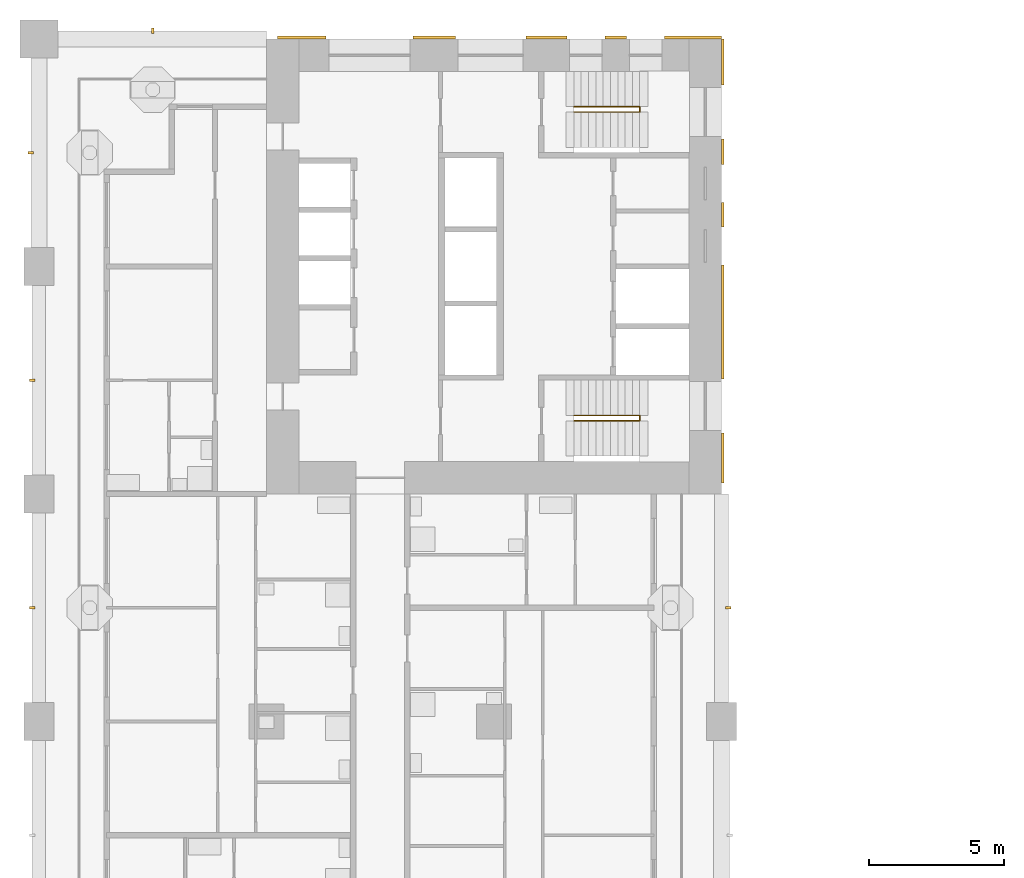
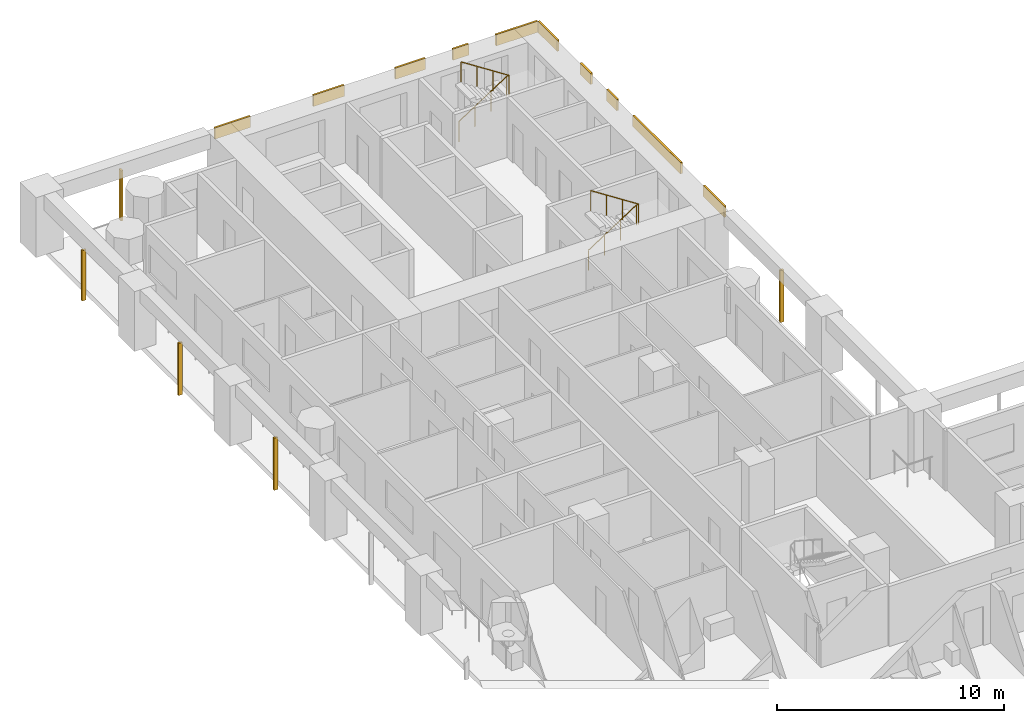
# One storey, part 16 of 21: 15 shading devices, 2 railings.
"""IFC4 building model written with IfcOpenShell, lengths in metres."""

from ifc_helpers import new_model, si_unit, direction, frame, origin, origin_2d, place, context, subcontext, project, spatial, rectangle, circle, extrude, material, layer, layer_set, material_profile, profile_set, type_object, element, save


model = new_model("IFC4")

# Units and contexts
model_context = context("Model", 3, precision=1e-05, world=origin(), true_north=direction((0.0, 1.0)))
body_context = subcontext(model_context, "Body", "Model", "MODEL_VIEW")
ifc_project = project(units=[si_unit("LENGTHUNIT", "METRE"), si_unit("AREAUNIT", "SQUARE_METRE"), si_unit("VOLUMEUNIT", "CUBIC_METRE"), si_unit("PLANEANGLEUNIT", "RADIAN"), si_unit("MASSUNIT", "GRAM", prefix="KILO")], contexts=[model_context])

# Site, building, storey
site_placement = place(None, origin())
site = spatial("IfcSite", under=ifc_project, at=site_placement, CompositionType="ELEMENT")
building_placement = place(site_placement, origin())
building = spatial("IfcBuilding", under=site, at=building_placement, Name="Vermilion Gate Residences", CompositionType="ELEMENT")
storey_placement = place(building_placement, frame((0.0, 0.0, 67.199951171875)))
storey = spatial("IfcBuildingStorey", under=building, at=storey_placement, Name="L16", CompositionType="ELEMENT", Elevation=67.199951171875)

# Railings
ifc_material_1 = material(Name="Steel S355", Category="steel")
railing_type = type_object("IfcRailingType", Name="STAIR GUARD 1100 STEEL", PredefinedType="GUARDRAIL", material=ifc_material_1)
for number, where, name in (
    (1, (19.75, 56.300048828125, 0.175048828125), "Stair well guard STB1-16"),
    (2, (19.75, 44.89990234375, 0.175048828125), "Stair well guard STB2-16"),
):
    element("IfcRailing", number, at=place(storey_placement, frame(where)), inside=storey, type_object=railing_type, Name=name, PredefinedType="GUARDRAIL", context=body_context, shape_type="SweptSolid", body=[
        extrude(circle(Radius=0.02392578125, at=origin_2d()), frame((0.0, 0.0, 1.076171875), z_axis=(0.839153699163, 0.0, 0.543894354798), x_axis=(0.0, 1.0, 0.0)), (0.0, 0.0, 1.0), 2.895751953125),
        extrude(circle(Radius=0.02392578125, at=origin_2d()), frame((2.429931640625, 0.0, 2.65087890625), z_axis=(0.0, -0.752405939678, 0.658699705433), x_axis=(1.0, 0.0, 0.0)), (0.0, 0.0, 1.0), 0.265869140625),
        extrude(circle(Radius=0.02392578125, at=origin_2d()), frame((2.429931640625, -0.199951171875, 2.826171875), z_axis=(-0.839153699163, 0.0, 0.543894354798), x_axis=(0.0, -1.0, 0.0)), (0.0, 0.0, 1.0), 2.895751953125),
        extrude(circle(Radius=0.02099609375, at=origin_2d()), origin(), (0.0, 0.0, 1.0), 1.052001953125),
        extrude(circle(Radius=0.02099609375, at=origin_2d()), frame((0.81005859375, 0.0, 0.52490234375)), (0.0, 0.0, 1.0), 1.052001953125),
        extrude(circle(Radius=0.02099609375, at=origin_2d()), frame((1.619873046875, 0.0, 1.050048828125)), (0.0, 0.0, 1.0), 1.052001953125),
        extrude(circle(Radius=0.02099609375, at=origin_2d()), frame((2.429931640625, 0.0, 1.574951171875)), (0.0, 0.0, 1.0), 1.052001953125),
        extrude(circle(Radius=0.02099609375, at=origin_2d()), frame((2.429931640625, -0.199951171875, 1.75)), (0.0, 0.0, 1.0), 1.052001953125),
        extrude(circle(Radius=0.02099609375, at=origin_2d()), frame((1.619873046875, -0.199951171875, 2.27490234375)), (0.0, 0.0, 1.0), 1.052001953125),
        extrude(circle(Radius=0.02099609375, at=origin_2d()), frame((0.81005859375, -0.199951171875, 2.800048828125)), (0.0, 0.0, 1.0), 1.052001953125),
        extrude(circle(Radius=0.02099609375, at=origin_2d()), frame((0.0, -0.199951171875, 3.324951171875)), (0.0, 0.0, 1.0), 1.052001953125),
    ])

# Shading devices
ifc_material_2 = material(Name="Extruded terracotta", Category="masonry")
ifc_material_profile = material_profile(ifc_material_2, rectangle(XDim=0.199951171875, YDim=0.10009765625, at=origin_2d()), Name="BAGUETTE 100 X 200")
ifc_profile_set = profile_set([ifc_material_profile], Name="Extruded terracotta")
shading_device_type_1 = type_object("IfcShadingDeviceType", Name="TERRACOTTA BAGUETTE 100 X 200", PredefinedType="JALOUSIE", material=ifc_profile_set)
shading_device_1_placement = place(storey_placement, frame((25.449951171875, 37.800048828125, -0.280029296875), z_axis=(0.0, 0.0, 1.0), x_axis=(-1.0, 0.0, 0.0)))
element("IfcShadingDevice", 3, at=shading_device_1_placement, inside=storey, type_object=shading_device_type_1, Name="BAGUETTE", PredefinedType="JALOUSIE", context=body_context, shape_type="SweptSolid", body=[
    extrude(rectangle(XDim=0.199951171875, YDim=0.10009765625, at=origin_2d()), origin(), (0.0, 0.0, 1.0), 2.800048828125),
])
shading_device_2_placement = place(storey_placement, frame((4.199951171875, 59.10009765625, -0.280029296875), z_axis=(0.0, 0.0, 1.0), x_axis=(0.0, -1.0, 0.0)))
element("IfcShadingDevice", 4, at=shading_device_2_placement, inside=storey, type_object=shading_device_type_1, Name="BAGUETTE", PredefinedType="JALOUSIE", context=body_context, shape_type="SweptSolid", body=[
    extrude(rectangle(XDim=0.199951171875, YDim=0.10009765625, at=origin_2d()), origin(), (0.0, 0.0, 1.0), 2.7001953125),
])
for number, where, z_axis, x_axis, name in (
    (5, (-0.25, 37.800048828125, -0.280029296875), (0.0, 0.0, 1.0), (1.0, 0.0, 0.0), "BAGUETTE"),
    (6, (-0.25, 46.199951171875, -0.280029296875), (0.0, 0.0, 1.0), (1.0, 0.0, 0.0), "BAGUETTE"),
):
    element("IfcShadingDevice", number, at=place(storey_placement, frame(where, z_axis=z_axis, x_axis=x_axis)), inside=storey, type_object=shading_device_type_1, Name=name, PredefinedType="JALOUSIE", context=body_context, shape_type="SweptSolid", body=[
        extrude(rectangle(XDim=0.199951171875, YDim=0.10009765625, at=origin_2d()), origin(), (0.0, 0.0, 1.0), 2.800048828125),
    ])
shading_device_3_placement = place(storey_placement, frame((-0.300048828125, 54.60009765625, -0.280029296875), z_axis=(0.0, 0.0, 1.0), x_axis=(1.0, 0.0, 0.0)))
element("IfcShadingDevice", 7, at=shading_device_3_placement, inside=storey, type_object=shading_device_type_1, Name="BAGUETTE", PredefinedType="JALOUSIE", context=body_context, shape_type="SweptSolid", body=[
    extrude(rectangle(XDim=0.199951171875, YDim=0.10009765625, at=origin_2d()), origin(), (0.0, 0.0, 1.0), 2.7001953125),
])
ifc_material_3 = material(Name="Extruded terracotta", Category="masonry")
ifc_layer = layer(ifc_material_3, 0.10009765625)
ifc_layer_set = layer_set([ifc_layer], Name="TERRACOTTA SPANDREL BAND 600 X 100")
shading_device_type_2 = type_object("IfcShadingDeviceType", Name="TERRACOTTA SPANDREL BAND 600 X 100", PredefinedType="USERDEFINED", material=ifc_layer_set)
shading_device_4_placement = place(storey_placement, frame((9.702392578125, 58.85009765625, 2.6201171875), z_axis=(0.0, 0.0, 1.0), x_axis=(1.0, 0.0, 0.0)))
element("IfcShadingDevice", 8, at=shading_device_4_placement, inside=storey, type_object=shading_device_type_2, Name="SPANDREL BAND", ObjectType="BAND", PredefinedType="USERDEFINED", context=body_context, shape_type="SweptSolid", body=[
    extrude(rectangle(XDim=1.804931640625, YDim=0.10009765625, at=origin_2d()), origin(), (0.0, 0.0, 1.0), 0.60009765625),
])
shading_device_5_placement = place(storey_placement, frame((14.590087890625, 58.85009765625, 2.6201171875), z_axis=(0.0, 0.0, 1.0), x_axis=(1.0, 0.0, 0.0)))
element("IfcShadingDevice", 9, at=shading_device_5_placement, inside=storey, type_object=shading_device_type_2, Name="SPANDREL BAND", ObjectType="BAND", PredefinedType="USERDEFINED", context=body_context, shape_type="SweptSolid", body=[
    extrude(rectangle(XDim=1.570068359375, YDim=0.10009765625, at=origin_2d()), origin(), (0.0, 0.0, 1.0), 0.60009765625),
])
shading_device_6_placement = place(storey_placement, frame((18.734130859375, 58.85009765625, 2.6201171875), z_axis=(0.0, 0.0, 1.0), x_axis=(1.0, 0.0, 0.0)))
element("IfcShadingDevice", 10, at=shading_device_6_placement, inside=storey, type_object=shading_device_type_2, Name="SPANDREL BAND", ObjectType="BAND", PredefinedType="USERDEFINED", context=body_context, shape_type="SweptSolid", body=[
    extrude(rectangle(XDim=1.518310546875, YDim=0.10009765625, at=origin_2d()), origin(), (0.0, 0.0, 1.0), 0.60009765625),
])
shading_device_7_placement = place(storey_placement, frame((21.294921875, 58.85009765625, 2.6201171875), z_axis=(0.0, 0.0, 1.0), x_axis=(1.0, 0.0, 0.0)))
element("IfcShadingDevice", 11, at=shading_device_7_placement, inside=storey, type_object=shading_device_type_2, Name="SPANDREL BAND", ObjectType="BAND", PredefinedType="USERDEFINED", context=body_context, shape_type="SweptSolid", body=[
    extrude(rectangle(XDim=0.803466796875, YDim=0.10009765625, at=origin_2d()), origin(), (0.0, 0.0, 1.0), 0.60009765625),
])
shading_device_8_placement = place(storey_placement, frame((24.1484375, 58.85009765625, 2.6201171875), z_axis=(0.0, 0.0, 1.0), x_axis=(1.0, 0.0, 0.0)))
element("IfcShadingDevice", 12, at=shading_device_8_placement, inside=storey, type_object=shading_device_type_2, Name="SPANDREL BAND", ObjectType="BAND", PredefinedType="USERDEFINED", context=body_context, shape_type="SweptSolid", body=[
    extrude(rectangle(XDim=2.103271484375, YDim=0.10009765625, at=origin_2d()), origin(), (0.0, 0.0, 1.0), 0.60009765625),
])
shading_device_9_placement = place(storey_placement, frame((25.25, 43.324951171875, 2.6201171875), z_axis=(0.0, 0.0, 1.0), x_axis=(0.0, 1.0, 0.0)))
element("IfcShadingDevice", 13, at=shading_device_9_placement, inside=storey, type_object=shading_device_type_2, Name="SPANDREL BAND", ObjectType="BAND", PredefinedType="USERDEFINED", context=body_context, shape_type="SweptSolid", body=[
    extrude(rectangle(XDim=1.85009765625, YDim=0.10009765625, at=origin_2d()), origin(), (0.0, 0.0, 1.0), 0.60009765625),
])
shading_device_10_placement = place(storey_placement, frame((25.25, 48.35009765625, 2.6201171875), z_axis=(0.0, 0.0, 1.0), x_axis=(0.0, 1.0, 0.0)))
element("IfcShadingDevice", 14, at=shading_device_10_placement, inside=storey, type_object=shading_device_type_2, Name="SPANDREL BAND", ObjectType="BAND", PredefinedType="USERDEFINED", context=body_context, shape_type="SweptSolid", body=[
    extrude(rectangle(XDim=4.199951171875, YDim=0.10009765625, at=origin_2d()), origin(), (0.0, 0.0, 1.0), 0.60009765625),
])
shading_device_11_placement = place(storey_placement, frame((25.25, 52.30615234375, 2.6201171875), z_axis=(0.0, 0.0, 1.0), x_axis=(0.0, 1.0, 0.0)))
element("IfcShadingDevice", 15, at=shading_device_11_placement, inside=storey, type_object=shading_device_type_2, Name="SPANDREL BAND", ObjectType="BAND", PredefinedType="USERDEFINED", context=body_context, shape_type="SweptSolid", body=[
    extrude(rectangle(XDim=0.91259765625, YDim=0.10009765625, at=origin_2d()), origin(), (0.0, 0.0, 1.0), 0.60009765625),
])
shading_device_12_placement = place(storey_placement, frame((25.25, 54.631103515625, 2.6201171875), z_axis=(0.0, 0.0, 1.0), x_axis=(0.0, 1.0, 0.0)))
element("IfcShadingDevice", 16, at=shading_device_12_placement, inside=storey, type_object=shading_device_type_2, Name="SPANDREL BAND", ObjectType="BAND", PredefinedType="USERDEFINED", context=body_context, shape_type="SweptSolid", body=[
    extrude(rectangle(XDim=0.9375, YDim=0.10009765625, at=origin_2d()), origin(), (0.0, 0.0, 1.0), 0.60009765625),
])
shading_device_13_placement = place(storey_placement, frame((25.25, 57.949951171875, 2.6201171875), z_axis=(0.0, 0.0, 1.0), x_axis=(0.0, 1.0, 0.0)))
element("IfcShadingDevice", 17, at=shading_device_13_placement, inside=storey, type_object=shading_device_type_2, Name="SPANDREL BAND", ObjectType="BAND", PredefinedType="USERDEFINED", context=body_context, shape_type="SweptSolid", body=[
    extrude(rectangle(XDim=1.699951171875, YDim=0.10009765625, at=origin_2d()), origin(), (0.0, 0.0, 1.0), 0.60009765625),
])

save(model, "model.ifc")
